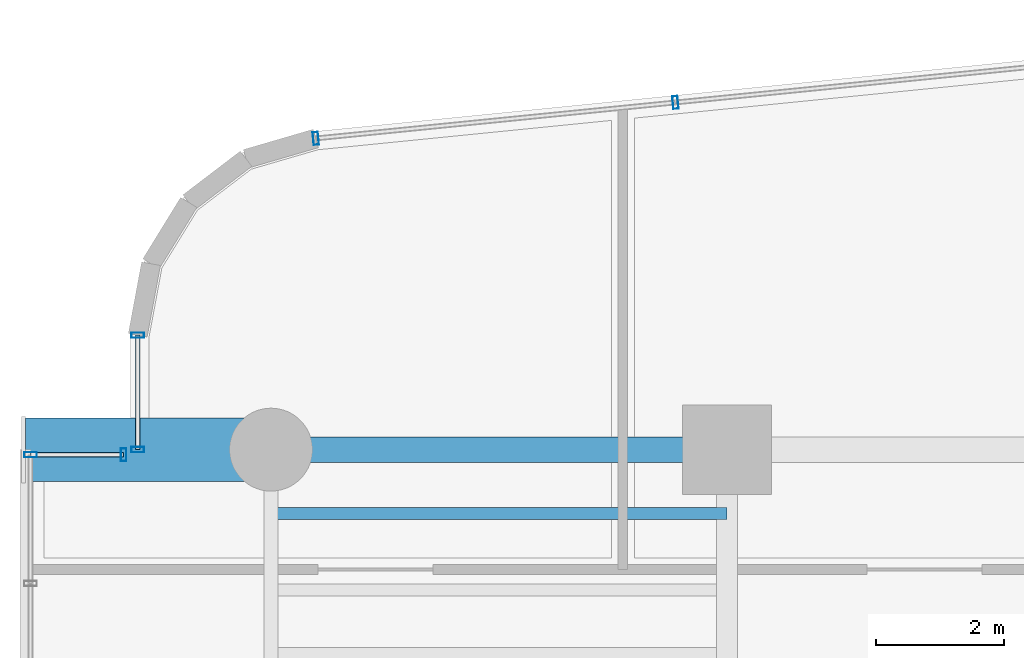
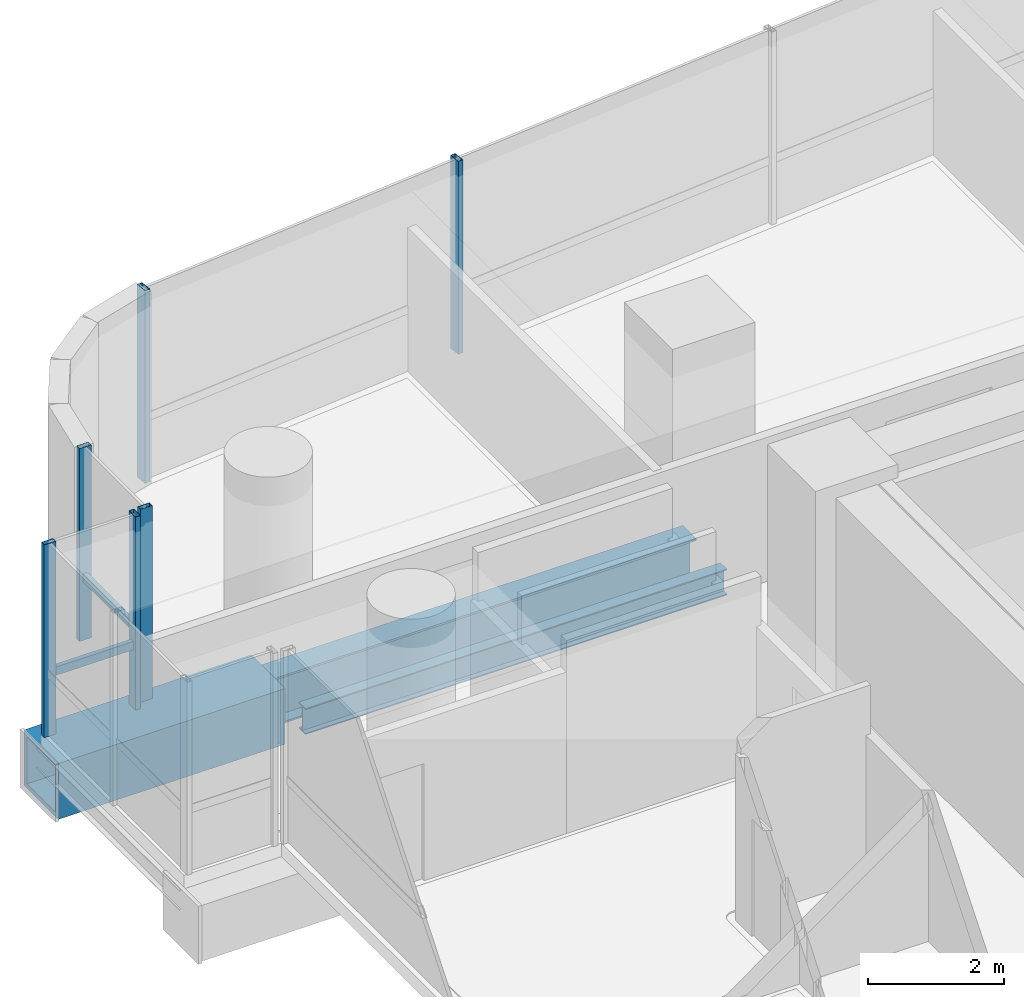
# One storey, part 19 of 40: 8 members, 3 beams, 4 elements without a shape of their own.
"""IFC4 building model written with IfcOpenShell, lengths in metres."""

from ifc_helpers import new_model, si_unit, direction, frame, origin, origin_2d, place, context, subcontext, project, spatial, hollow_rectangle, i_section, extrude, source, transform, mapped, material, material_profile, profile_set, type_object, element, aggregate, save


model = new_model("IFC4")

# Units and contexts
model_context = context("Model", 3, precision=1e-05, world=origin(), true_north=direction((0.0, 1.0)))
body_context = subcontext(model_context, "Body", "Model", "MODEL_VIEW")
ifc_project = project(units=[si_unit("LENGTHUNIT", "METRE"), si_unit("AREAUNIT", "SQUARE_METRE"), si_unit("VOLUMEUNIT", "CUBIC_METRE"), si_unit("PLANEANGLEUNIT", "RADIAN"), si_unit("MASSUNIT", "GRAM", prefix="KILO")], contexts=[model_context])

# Site, building, storey
site_placement = place(None, origin())
site = spatial("IfcSite", under=ifc_project, at=site_placement, CompositionType="ELEMENT")
building_placement = place(site_placement, origin())
building = spatial("IfcBuilding", under=site, at=building_placement, Name="Valdorenza Pilgrim Sanctuary Tower", CompositionType="ELEMENT")
storey_placement = place(building_placement, frame((0.0, 0.0, 81.5)))
storey = spatial("IfcBuildingStorey", under=building, at=storey_placement, Name="L20", CompositionType="ELEMENT", Elevation=81.5)

# Beams
ifc_material_1 = material(Name="Steel ASTM A992 Grade 50", Category="steel")
ifc_material_profile_1 = material_profile(ifc_material_1, i_section(OverallWidth=0.193115234375, OverallDepth=0.466064453125, WebThickness=0.011474609375, FlangeThickness=0.01904296875, at=origin_2d()), Name="W18X65")
ifc_profile_set_1 = profile_set([ifc_material_profile_1], Name="Steel ASTM A992 Grade 50")
beam_type_1 = type_object("IfcBeamType", Name="STR-BM-JST-W18A", PredefinedType="JOIST", material=ifc_profile_set_1)
shared_shape_1 = source(origin(), body_context, "Body", "SweptSolid", [
    extrude(i_section(OverallWidth=0.193115234375, OverallDepth=0.466064453125, WebThickness=0.011474609375, FlangeThickness=0.01904296875, at=origin_2d()), origin(), (0.0, 0.0, 1.0), 7.150146484375),
])
beam_1_placement = place(storey_placement, frame((-29.800048828125, 13.800048828125, -0.472900390625), z_axis=(1.0, 0.0, 0.0), x_axis=(0.0, 1.0, 0.0)))
element("IfcBeam", 1, at=beam_1_placement, inside=storey, type_object=beam_type_1, Name="L20 Composite Floor Joist JST-WA-26", PredefinedType="JOIST", context=body_context, shape_type="MappedRepresentation", body=[
    mapped(shared_shape_1, transform((0.0, 0.0, 0.0), x_axis=(1.0, 0.0, 0.0), y_axis=(0.0, 1.0, 0.0), z_axis=(0.0, 0.0, 1.0), scale=1.0)),
])
ifc_material_2 = material(Name="Steel ASTM A572 Grade 42", Category="steel")
ifc_material_profile_2 = material_profile(ifc_material_2, hollow_rectangle(XDim=1.0, YDim=1.0, WallThickness=0.080078125, at=origin_2d()), Name="BOX 1000x1000x80")
ifc_profile_set_2 = profile_set([ifc_material_profile_2], Name="Steel ASTM A572 Grade 42")
beam_type_2 = type_object("IfcBeamType", Name="STR-BM-PROW-CANT", PredefinedType="BEAM", material=ifc_profile_set_2)
shared_shape_2 = source(origin(), body_context, "Body", "SweptSolid", [
    extrude(hollow_rectangle(XDim=1.0, YDim=1.0, WallThickness=0.080078125, at=origin_2d()), origin(), (0.0, 0.0, 1.0), 3.849853515625),
])
beam_2_placement = place(storey_placement, frame((-29.800048828125, 14.800048828125, -0.739990234375), z_axis=(-1.0, 0.0, 0.0), x_axis=(0.0, -1.0, 0.0)))
element("IfcBeam", 2, at=beam_2_placement, inside=storey, type_object=beam_type_2, Name="L20 Glass Box Cantilever Beam BOX-WA-L20-CT-N", PredefinedType="BEAM", context=body_context, shape_type="MappedRepresentation", body=[
    mapped(shared_shape_2, transform((0.0, 0.0, 0.0), x_axis=(1.0, 0.0, 0.0), y_axis=(0.0, 1.0, 0.0), z_axis=(0.0, 0.0, 1.0), scale=1.0)),
])
ifc_material_profile_3 = material_profile(ifc_material_1, i_section(OverallWidth=0.39990234375, OverallDepth=0.862060546875, WebThickness=0.019775390625, FlangeThickness=0.032470703125, at=origin_2d()), Name="W33X221")
ifc_profile_set_3 = profile_set([ifc_material_profile_3], Name="Steel ASTM A992 Grade 50")
beam_type_3 = type_object("IfcBeamType", Name="STR-BM-GRD-W33", PredefinedType="BEAM", material=ifc_profile_set_3)
shared_shape_3 = source(origin(), body_context, "Body", "SweptSolid", [
    extrude(i_section(OverallWidth=0.39990234375, OverallDepth=0.862060546875, WebThickness=0.019775390625, FlangeThickness=0.032470703125, at=origin_2d()), origin(), (0.0, 0.0, 1.0), 7.150146484375),
])
beam_3_placement = place(storey_placement, frame((-29.800048828125, 14.800048828125, -0.6708984375), z_axis=(1.0, 0.0, 0.0), x_axis=(0.0, 1.0, 0.0)))
element("IfcBeam", 3, at=beam_3_placement, inside=storey, type_object=beam_type_3, Name="L20 Floor Girder WA-XW-N2", PredefinedType="BEAM", context=body_context, shape_type="MappedRepresentation", body=[
    mapped(shared_shape_3, transform((0.0, 0.0, 0.0), x_axis=(1.0, 0.0, 0.0), y_axis=(0.0, 1.0, 0.0), z_axis=(0.0, 0.0, 1.0), scale=1.0)),
])

# Curtain wall, members
ifc_material_3 = material(Name="Curtain-wall IGU glazing", Category="glass")
curtain_wall_type = type_object("IfcCurtainWallType", Name="CW-SYS-02", PredefinedType="NOTDEFINED", material=ifc_material_3)
curtain_wall_1_placement = place(storey_placement, origin())
curtain_wall_1 = element("IfcCurtainWall", 4, at=curtain_wall_1_placement, inside=storey, type_object=curtain_wall_type, Name="L20 Curtain Wall CW-L20-1-1S2", PredefinedType="NOTDEFINED")
ifc_material_4 = material(Name="Anodised aluminium AW-6060", Category="aluminium")
ifc_material_profile_4 = material_profile(ifc_material_4, hollow_rectangle(XDim=0.0849609375, YDim=0.199951171875, WallThickness=0.0048828125, at=origin_2d()), Name="ALU-M 200x85x5")
ifc_profile_set_4 = profile_set([ifc_material_profile_4], Name="Anodised aluminium AW-6060")
member_type_1 = type_object("IfcMemberType", Name="CW-MUL-02", PredefinedType="MULLION", material=ifc_profile_set_4)
shared_shape_4 = source(origin(), body_context, "Body", "SweptSolid", [
    extrude(hollow_rectangle(XDim=0.0849609375, YDim=0.199951171875, WallThickness=0.0048828125, at=origin_2d()), origin(), (0.0, 0.0, 1.0), 3.4599609375),
])
member_1_placement = place(storey_placement, frame((-31.889892578125, 14.800048828125, 0.0), z_axis=(0.0, 0.0, 1.0), x_axis=(0.0, 1.0, 0.0)))
member_1 = element("IfcMember", 5, at=member_1_placement, type_object=member_type_1, Name="CW-L20-1-1S2 Mullion 1", PredefinedType="MULLION", context=body_context, shape_type="MappedRepresentation", body=[
    mapped(shared_shape_4, transform((0.0, 0.0, 0.0), x_axis=(1.0, 0.0, 0.0), y_axis=(0.0, 1.0, 0.0), z_axis=(0.0, 0.0, 1.0), scale=1.0)),
])
member_2_placement = place(storey_placement, frame((-31.889892578125, 16.593994140625, 0.0), z_axis=(0.0, 0.0, 1.0), x_axis=(0.0, 1.0, 0.0)))
member_2 = element("IfcMember", 6, at=member_2_placement, type_object=member_type_1, Name="CW-L20-1-1S2 Mullion 2", PredefinedType="MULLION", context=body_context, shape_type="MappedRepresentation", body=[
    mapped(shared_shape_4, transform((0.0, 0.0, 0.0), x_axis=(1.0, 0.0, 0.0), y_axis=(0.0, 1.0, 0.0), z_axis=(0.0, 0.0, 1.0), scale=1.0)),
])

curtain_wall_2_placement = place(storey_placement, origin())
curtain_wall_2 = element("IfcCurtainWall", 7, at=curtain_wall_2_placement, inside=storey, type_object=curtain_wall_type, Name="L20 Curtain Wall CW-L20-1-6", PredefinedType="NOTDEFINED")
member_3_placement = place(storey_placement, frame((-29.097412109375, 19.6796875, 0.0), z_axis=(0.0, 0.0, 1.0), x_axis=(0.995038220239, 0.099493418189, 0.0)))
member_3 = element("IfcMember", 8, at=member_3_placement, type_object=member_type_1, Name="CW-L20-1-6 Mullion 1", PredefinedType="MULLION", context=body_context, shape_type="MappedRepresentation", body=[
    mapped(shared_shape_4, transform((0.0, 0.0, 0.0), x_axis=(1.0, 0.0, 0.0), y_axis=(0.0, 1.0, 0.0), z_axis=(0.0, 0.0, 1.0), scale=1.0)),
])
member_4_placement = place(storey_placement, frame((-23.458984375, 20.24365234375, 0.0), z_axis=(0.0, 0.0, 1.0), x_axis=(0.995038220239, 0.099493418189, 0.0)))
member_4 = element("IfcMember", 9, at=member_4_placement, type_object=member_type_1, Name="CW-L20-1-6 Mullion 2", PredefinedType="MULLION", context=body_context, shape_type="MappedRepresentation", body=[
    mapped(shared_shape_4, transform((0.0, 0.0, 0.0), x_axis=(1.0, 0.0, 0.0), y_axis=(0.0, 1.0, 0.0), z_axis=(0.0, 0.0, 1.0), scale=1.0)),
])
aggregate(curtain_wall_2, [member_3, member_4])

# Curtain wall, member
curtain_wall_3_placement = place(storey_placement, origin())
curtain_wall_3 = element("IfcCurtainWall", 10, at=curtain_wall_3_placement, inside=storey, type_object=curtain_wall_type, Name="L20 Curtain Wall CW-L20-BOX-WA-L20-F", PredefinedType="NOTDEFINED")
member_5_placement = place(storey_placement, frame((-33.570068359375, 14.719970703125, 0.0), z_axis=(0.0, 0.0, 1.0), x_axis=(0.0, 1.0, 0.0)))
member_5 = element("IfcMember", 11, at=member_5_placement, type_object=member_type_1, Name="CW-L20-BOX-WA-L20-F Mullion 3", PredefinedType="MULLION", context=body_context, shape_type="MappedRepresentation", body=[
    mapped(shared_shape_4, transform((0.0, 0.0, 0.0), x_axis=(1.0, 0.0, 0.0), y_axis=(0.0, 1.0, 0.0), z_axis=(0.0, 0.0, 1.0), scale=1.0)),
])
aggregate(curtain_wall_3, [member_5])

# Curtain wall, members
curtain_wall_4_placement = place(storey_placement, origin())
curtain_wall_4 = element("IfcCurtainWall", 12, at=curtain_wall_4_placement, inside=storey, type_object=curtain_wall_type, Name="L20 Curtain Wall CW-L20-BOX-WA-L20-N", PredefinedType="NOTDEFINED")
member_6_placement = place(storey_placement, frame((-32.110107421875, 14.719970703125, 0.0), z_axis=(0.0, 0.0, 1.0), x_axis=(1.0, 0.0, 0.0)))
member_6 = element("IfcMember", 13, at=member_6_placement, type_object=member_type_1, Name="CW-L20-BOX-WA-L20-N Mullion 2", PredefinedType="MULLION", context=body_context, shape_type="MappedRepresentation", body=[
    mapped(shared_shape_4, transform((0.0, 0.0, 0.0), x_axis=(1.0, 0.0, 0.0), y_axis=(0.0, 1.0, 0.0), z_axis=(0.0, 0.0, 1.0), scale=1.0)),
])
ifc_material_profile_5 = material_profile(ifc_material_4, hollow_rectangle(XDim=0.074951171875, YDim=0.14990234375, WallThickness=0.00390625, at=origin_2d()), Name="ALU-T 150x75x4")
ifc_profile_set_5 = profile_set([ifc_material_profile_5], Name="Anodised aluminium AW-6060")
member_type_2 = type_object("IfcMemberType", Name="CW-TRN-02", PredefinedType="USERDEFINED", material=ifc_profile_set_5)
shared_shape_5 = source(origin(), body_context, "Body", "SweptSolid", [
    extrude(hollow_rectangle(XDim=0.074951171875, YDim=0.14990234375, WallThickness=0.00390625, at=origin_2d()), origin(), (0.0, 0.0, 1.0), 1.4599609375),
])
member_7_placement = place(storey_placement, frame((-33.570068359375, 14.719970703125, 1.1201171875), z_axis=(1.0, 0.0, 0.0), x_axis=(0.0, 1.0, 0.0)))
member_7 = element("IfcMember", 14, at=member_7_placement, type_object=member_type_2, Name="CW-L20-BOX-WA-L20-N Transom 1", ObjectType="TRANSOM", PredefinedType="USERDEFINED", context=body_context, shape_type="MappedRepresentation", body=[
    mapped(shared_shape_5, transform((0.0, 0.0, 0.0), x_axis=(1.0, 0.0, 0.0), y_axis=(0.0, 1.0, 0.0), z_axis=(0.0, 0.0, 1.0), scale=1.0)),
])
aggregate(curtain_wall_4, [member_6, member_7])

# Member
shared_shape_6 = source(origin(), body_context, "Body", "SweptSolid", [
    extrude(hollow_rectangle(XDim=0.074951171875, YDim=0.14990234375, WallThickness=0.00390625, at=origin_2d()), origin(), (0.0, 0.0, 1.0), 1.7939453125),
])
member_8_placement = place(storey_placement, frame((-31.889892578125, 14.800048828125, 1.1201171875), z_axis=(0.0, 1.0, 0.0), x_axis=(-1.0, 0.0, 0.0)))
member_8 = element("IfcMember", 15, at=member_8_placement, type_object=member_type_2, Name="CW-L20-1-1S2 Transom 1", ObjectType="TRANSOM", PredefinedType="USERDEFINED", context=body_context, shape_type="MappedRepresentation", body=[
    mapped(shared_shape_6, transform((0.0, 0.0, 0.0), x_axis=(1.0, 0.0, 0.0), y_axis=(0.0, 1.0, 0.0), z_axis=(0.0, 0.0, 1.0), scale=1.0)),
])

aggregate(curtain_wall_1, [member_1, member_2, member_8])

save(model, "model.ifc")
